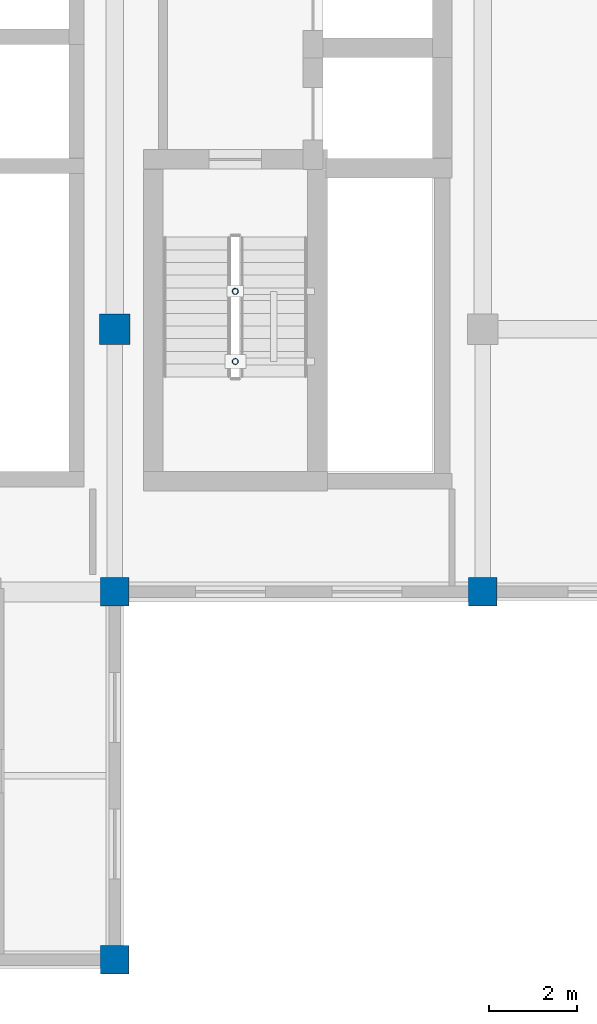
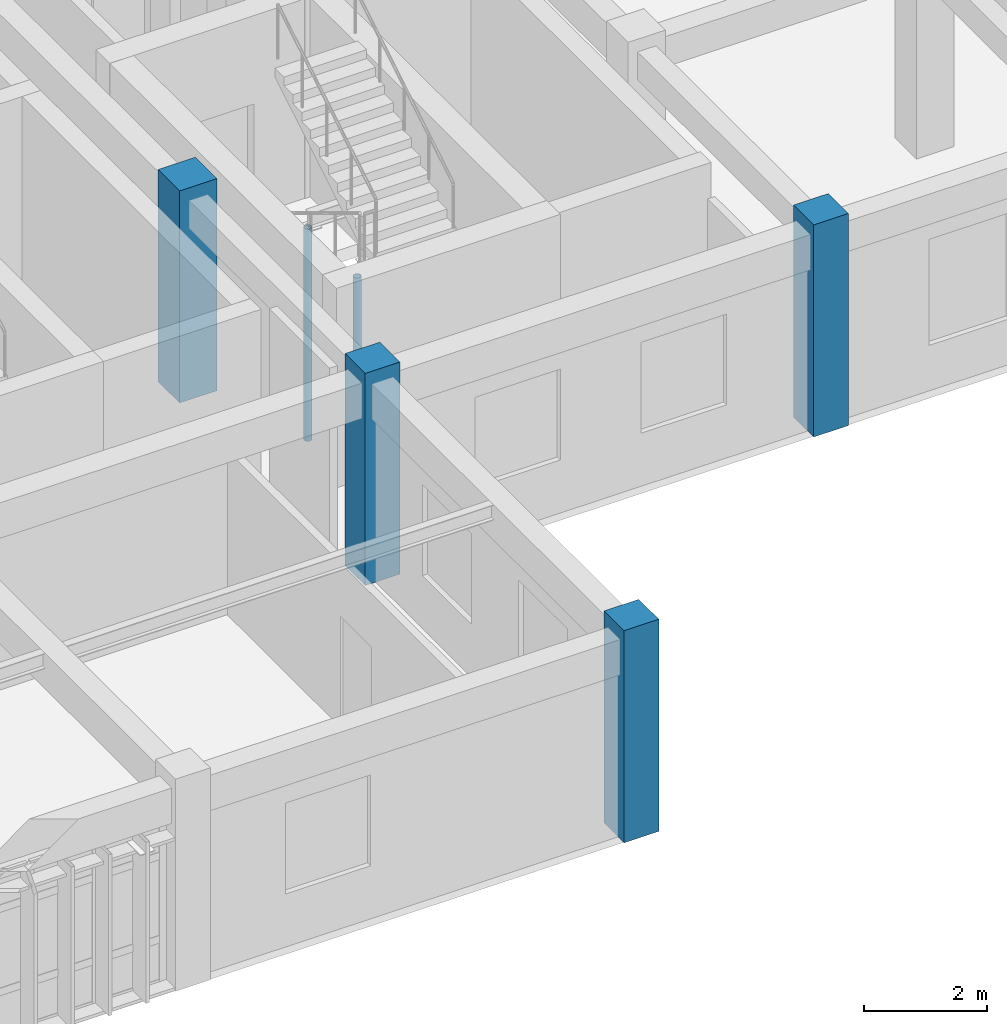
# One storey, part 2 of 22: 6 columns.
"""IFC4 building model written with IfcOpenShell, lengths in metres."""

from ifc_helpers import new_model, si_unit, direction, frame, origin, origin_2d, place, context, subcontext, project, spatial, rectangle, hollow_circle, extrude, material, material_profile, profile_set, type_object, element, save


model = new_model("IFC4")

# Units and contexts
model_context = context("Model", 3, precision=1e-05, world=origin(), true_north=direction((0.0, 1.0)))
body_context = subcontext(model_context, "Body", "Model", "MODEL_VIEW")
ifc_project = project(units=[si_unit("LENGTHUNIT", "METRE"), si_unit("AREAUNIT", "SQUARE_METRE"), si_unit("VOLUMEUNIT", "CUBIC_METRE"), si_unit("PLANEANGLEUNIT", "RADIAN"), si_unit("MASSUNIT", "GRAM", prefix="KILO")], contexts=[model_context])

# Site, building, storey
site_placement = place(None, origin())
site = spatial("IfcSite", under=ifc_project, at=site_placement, CompositionType="ELEMENT")
building_placement = place(site_placement, origin())
building = spatial("IfcBuilding", under=site, at=building_placement, Name="Krzemoval Escarpment Law Courts", CompositionType="ELEMENT")
storey_placement = place(building_placement, frame((0.0, 0.0, 29.39990234375)))
storey = spatial("IfcBuildingStorey", under=building, at=storey_placement, Name="L06", CompositionType="ELEMENT", Elevation=29.39990234375)

# Columns
ifc_material_1 = material(Name="Concrete C40/50", Category="concrete")
ifc_material_profile_1 = material_profile(ifc_material_1, rectangle(XDim=0.64990234375, YDim=0.64990234375, at=origin_2d()), Name="RC 650x650")
ifc_profile_set_1 = profile_set([ifc_material_profile_1], Name="Concrete C40/50")
column_type_1 = type_object("IfcColumnType", Name="COL-RC-650", PredefinedType="COLUMN", material=ifc_profile_set_1)
for number, where, z_axis, x_axis, name in (
    (1, (142.800048828125, 85.199951171875, 0.0), (0.0, 0.0, 1.0), (1.0, 0.0, 0.0), "Column FC-L06-1303"),
    (2, (142.800048828125, 93.60009765625, 0.0), (0.0, 0.0, 1.0), (1.0, 0.0, 0.0), "Column FC-L06-1304"),
    (3, (151.199951171875, 93.60009765625, 0.0), (0.0, 0.0, 1.0), (1.0, 0.0, 0.0), "Column FC-L06-1309"),
):
    element("IfcColumn", number, at=place(storey_placement, frame(where, z_axis=z_axis, x_axis=x_axis)), inside=storey, type_object=column_type_1, Name=name, PredefinedType="COLUMN", context=body_context, shape_type="SweptSolid", body=[
        extrude(rectangle(XDim=0.64990234375, YDim=0.64990234375, at=origin_2d()), origin(), (0.0, 0.0, 1.0), 4.2001953125),
    ])
ifc_material_2 = material(Name="Concrete C40/50", Category="concrete")
ifc_material_profile_2 = material_profile(ifc_material_2, rectangle(XDim=0.699951171875, YDim=0.699951171875, at=origin_2d()), Name="RC 700x700")
ifc_profile_set_2 = profile_set([ifc_material_profile_2], Name="Concrete C40/50")
column_type_2 = type_object("IfcColumnType", Name="COL-RC-700", PredefinedType="COLUMN", material=ifc_profile_set_2)
column_placement = place(storey_placement, frame((142.800048828125, 99.60009765625, 0.0), z_axis=(0.0, 0.0, 1.0), x_axis=(1.0, 0.0, 0.0)))
element("IfcColumn", 4, at=column_placement, inside=storey, type_object=column_type_2, Name="Column FC-L06-1305", PredefinedType="COLUMN", context=body_context, shape_type="SweptSolid", body=[
    extrude(rectangle(XDim=0.699951171875, YDim=0.699951171875, at=origin_2d()), origin(), (0.0, 0.0, 1.0), 4.2001953125),
])
ifc_material_3 = material(Name="Steel S355", Category="steel")
ifc_material_profile_3 = material_profile(ifc_material_3, hollow_circle(Radius=0.06982421875, WallThickness=0.008056640625, at=origin_2d()), Name="CHS 139.7x8")
ifc_profile_set_3 = profile_set([ifc_material_profile_3], Name="Steel S355")
column_type_3 = type_object("IfcColumnType", Name="COL-S355-CHS140", PredefinedType="COLUMN", material=ifc_profile_set_3)
for number, where, z_axis, x_axis, name in (
    (5, (145.550048828125, 98.860107421875, -2.52978515625), (0.0, 0.0, 1.0), (1.0, 0.0, 0.0), "Stair Well Post SCP-C3-L06-1"),
    (6, (145.550048828125, 100.4599609375, -2.52978515625), (0.0, 0.0, 1.0), (1.0, 0.0, 0.0), "Stair Well Post SCP-C3-L06-2"),
):
    element("IfcColumn", number, at=place(storey_placement, frame(where, z_axis=z_axis, x_axis=x_axis)), inside=storey, type_object=column_type_3, Name=name, PredefinedType="COLUMN", context=body_context, shape_type="SweptSolid", body=[
        extrude(hollow_circle(Radius=0.06982421875, WallThickness=0.008056640625, at=origin_2d()), origin(), (0.0, 0.0, 1.0), 4.199951171875),
    ])

save(model, "model.ifc")
